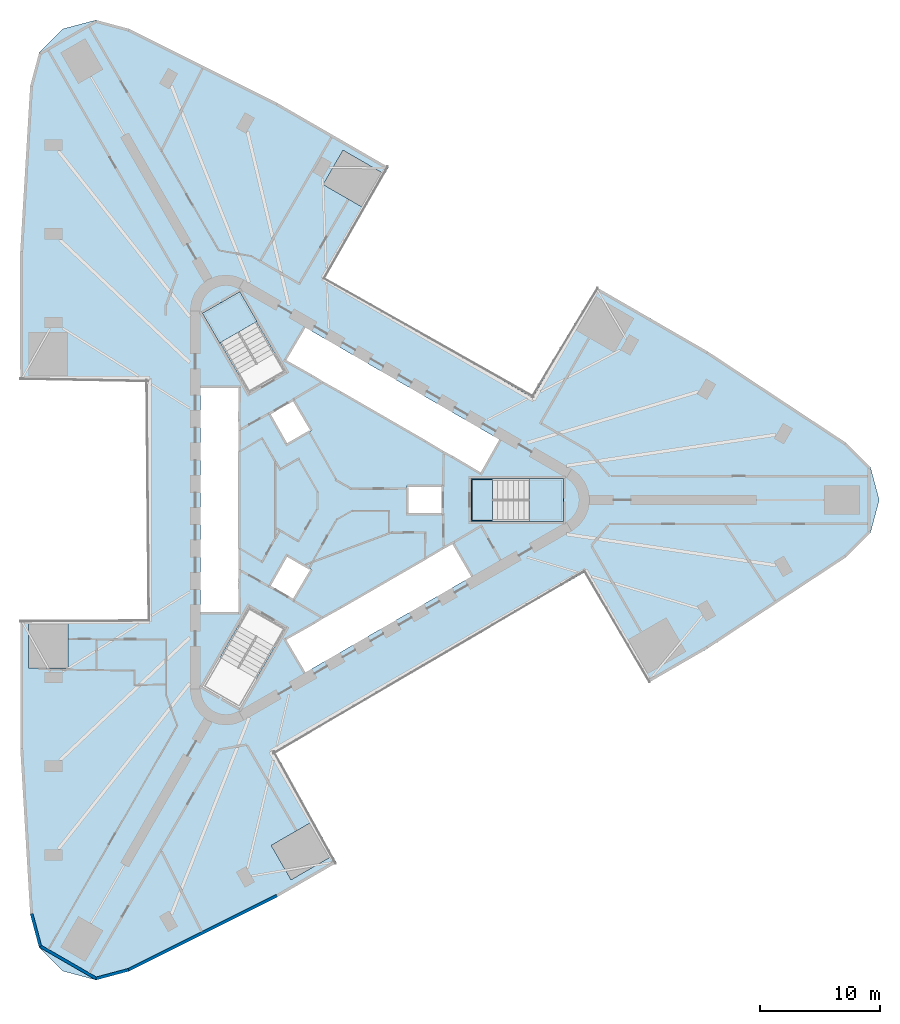
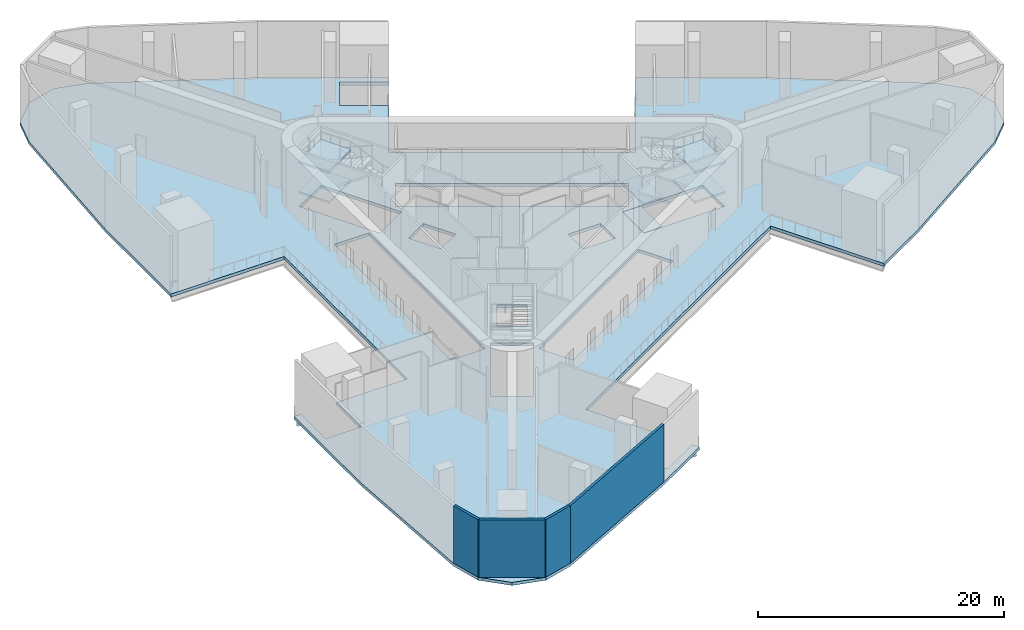
# One storey, part 2 of 11: 7 slabs, 4 walls, 2 elements without a shape of their own.
"""IFC4 building model written with IfcOpenShell, lengths in metres."""

from ifc_helpers import new_model, si_unit, direction, frame, frame_2d, origin, place, context, subcontext, project, spatial, polyline, rectangle, outline, extrude, material, layer, layer_set, type_object, element, aggregate, save


model = new_model("IFC4")

# Units and contexts
model_context = context("Model", 3, precision=1e-05, world=origin(), true_north=direction((0.0, 1.0)))
body_context = subcontext(model_context, "Body", "Model", "MODEL_VIEW")
ifc_project = project(units=[si_unit("LENGTHUNIT", "METRE"), si_unit("AREAUNIT", "SQUARE_METRE"), si_unit("VOLUMEUNIT", "CUBIC_METRE"), si_unit("PLANEANGLEUNIT", "RADIAN"), si_unit("MASSUNIT", "GRAM", prefix="KILO")], contexts=[model_context])

# Site, building, storey
site_placement = place(None, origin())
site = spatial("IfcSite", under=ifc_project, at=site_placement, CompositionType="ELEMENT")
building_placement = place(site_placement, origin())
building = spatial("IfcBuilding", under=site, at=building_placement, Name="Tanit Gate Tower", CompositionType="ELEMENT")
storey_placement = place(building_placement, frame((0.0, 0.0, 15.5)))
storey = spatial("IfcBuildingStorey", under=building, at=storey_placement, Name="L02", CompositionType="ELEMENT", Elevation=15.5)

# Stair, slabs
ifc_material_1 = material(Name="Concrete C40/50", Category="concrete")
stair_type = type_object("IfcStairType", Name="INT-STAIR-EXIT", PredefinedType="HALF_TURN_STAIR", material=ifc_material_1)
stair_1_placement = place(storey_placement, origin())
stair_1 = element("IfcStair", 1, at=stair_1_placement, inside=storey, type_object=stair_type, Name="L02 STAIR S1", PredefinedType="HALF_TURN_STAIR")
ifc_material_2 = material(Name="Concrete C40/50", Category="concrete")
ifc_layer_1 = layer(ifc_material_2, 0.199951171875)
ifc_layer_set_1 = layer_set([ifc_layer_1], Name="INT-STAIR-LANDING")
slab_type_1 = type_object("IfcSlabType", Name="INT-STAIR-LANDING", PredefinedType="LANDING", material=ifc_layer_set_1)
slab_1_placement = place(storey_placement, frame((0.0, 0.0, 1.300048828125)))
slab_1 = element("IfcSlab", 2, at=slab_1_placement, type_object=slab_type_1, Name="S1 landing 1", PredefinedType="LANDING", context=body_context, shape_type="SweptSolid", body=[
    extrude(outline(polyline([(16.135986328125, -1.800048828125), (19.0, -1.800048828125), (19.0, 1.800048828125), (16.135986328125, 1.800048828125), (16.135986328125, -1.800048828125)])), origin(), (0.0, 0.0, 1.0), 0.199951171875),
])
slab_2_placement = place(storey_placement, frame((0.0, 0.0, 2.800048828125)))
slab_2 = element("IfcSlab", 3, at=slab_2_placement, type_object=slab_type_1, Name="S1 landing 2", PredefinedType="LANDING", context=body_context, shape_type="SweptSolid", body=[
    extrude(outline(polyline([(11.300048828125, -1.800048828125), (13.10498046875, -1.800048828125), (13.10498046875, 1.800048828125), (11.300048828125, 1.800048828125), (11.300048828125, -1.800048828125)])), origin(), (0.0, 0.0, 1.0), 0.199951171875),
])
slab_3_placement = place(storey_placement, frame((0.0, 0.0, 4.300048828125)))
slab_3 = element("IfcSlab", 4, at=slab_3_placement, type_object=slab_type_1, Name="S1 landing 3", PredefinedType="LANDING", context=body_context, shape_type="SweptSolid", body=[
    extrude(outline(polyline([(16.135986328125, -1.800048828125), (19.0, -1.800048828125), (19.0, 1.800048828125), (16.135986328125, 1.800048828125), (16.135986328125, -1.800048828125)])), origin(), (0.0, 0.0, 1.0), 0.199951171875),
])
aggregate(stair_1, [slab_1, slab_2, slab_3])

# Slab
slab_4_placement = place(storey_placement, frame((0.0, 0.0, -0.199951171875)))
element("IfcSlab", 5, at=slab_4_placement, inside=storey, type_object=slab_type_1, Name="S1 floor landing", PredefinedType="LANDING", context=body_context, shape_type="SweptSolid", body=[
    extrude(outline(polyline([(11.3798828125, -1.719970703125), (13.10498046875, -1.719970703125), (13.10498046875, 1.719970703125), (11.3798828125, 1.719970703125), (11.3798828125, -1.719970703125)])), origin(), (0.0, 0.0, 1.0), 0.199951171875),
])

# Stair, slabs
stair_2_placement = place(storey_placement, origin())
stair_2 = element("IfcStair", 6, at=stair_2_placement, inside=storey, type_object=stair_type, Name="L02 STAIR S2", PredefinedType="HALF_TURN_STAIR")
slab_5_placement = place(storey_placement, frame((0.0, 0.0, 1.300048828125)))
slab_5 = element("IfcSlab", 7, at=slab_5_placement, type_object=slab_type_1, Name="S2 landing 1", PredefinedType="LANDING", context=body_context, shape_type="SweptSolid", body=[
    extrude(outline(polyline([(-6.5078125, 14.871826171875), (-7.941162109375, 17.3544921875), (-11.058837890625, 15.554443359375), (-9.62548828125, 13.07177734375), (-6.5078125, 14.871826171875)])), origin(), (0.0, 0.0, 1.0), 0.199951171875),
])
slab_6_placement = place(storey_placement, frame((0.0, 0.0, 4.300048828125)))
slab_6 = element("IfcSlab", 8, at=slab_6_placement, type_object=slab_type_1, Name="S2 landing 3", PredefinedType="LANDING", context=body_context, shape_type="SweptSolid", body=[
    extrude(outline(polyline([(-6.5078125, 14.871826171875), (-7.941162109375, 17.3544921875), (-11.058837890625, 15.554443359375), (-9.62548828125, 13.07177734375), (-6.5078125, 14.871826171875)])), origin(), (0.0, 0.0, 1.0), 0.199951171875),
])
aggregate(stair_2, [slab_5, slab_6])

# Slab
ifc_material_3 = material(Name="Concrete C35/45", Category="concrete")
ifc_layer_2 = layer(ifc_material_3, 0.300048828125)
ifc_layer_set_2 = layer_set([ifc_layer_2], Name="PODIUM FLOOR SLAB 300 C35/45")
slab_type_2 = type_object("IfcSlabType", Name="PODIUM FLOOR SLAB 300 C35/45", PredefinedType="FLOOR", material=ifc_layer_set_2)
slab_7_placement = place(storey_placement, frame((0.0, 0.0, -0.300048828125)))
element("IfcSlab", 9, at=slab_7_placement, inside=storey, type_object=slab_type_2, Name="FLOOR SLAB L02", PredefinedType="FLOOR", context=body_context, shape_type="SweptSolid", body=[
    extrude(outline(polyline([(42.5634765625, 4.75927734375), (44.574951171875, 2.747802734375), (45.311279296875, 0.0), (44.574951171875, -2.747802734375), (42.5634765625, -4.75927734375), (31.030517578125, -12.368896484375), (26.10400390625, -15.213623046875), (20.790283203125, -6.010009765625), (-5.1904296875, -21.010009765625), (-1.86376953125, -26.77197265625), (-5.327880859375, -28.77197265625), (-3.677734375, -31.6298828125), (-0.213623046875, -29.6298828125), (0.124267578125, -30.21533203125), (-4.80224609375, -33.06005859375), (-17.16015625, -39.24072265625), (-19.907958984375, -39.97705078125), (-22.655517578125, -39.24072265625), (-24.6669921875, -37.229248046875), (-25.4033203125, -34.4814453125), (-26.22705078125, -20.68896484375), (-26.227783203125, -10.0), (-25.553466796875, -10.0), (-25.553466796875, -14.0), (-22.25341796875, -14.0), (-22.25341796875, -10.0), (-15.60009765625, -10.0), (-15.60009765625, 10.0), (-26.22900390625, 10.0), (-26.229736328125, 20.68896484375), (-25.4033203125, 34.4814453125), (-24.6669921875, 37.229248046875), (-22.655517578125, 39.24072265625), (-19.907958984375, 39.97705078125), (-17.16015625, 39.24072265625), (-4.8037109375, 33.0576171875), (4.45361328125, 27.7138671875), (4.116455078125, 27.1298828125), (0.65234375, 29.1298828125), (-0.99755859375, 26.27197265625), (2.466552734375, 24.27197265625), (-0.8603515625, 18.510009765625), (16.460205078125, 8.510009765625), (21.77490234375, 17.715087890625), (31.031982421875, 12.371337890625), (42.5634765625, 4.75927734375)]), holes=[polyline([(18.929931640625, 1.72998046875), (18.929931640625, -1.72998046875), (11.3701171875, -1.72998046875), (11.3701171875, 1.72998046875), (18.929931640625, 1.72998046875)]), polyline([(-4.208984375, 11.60986328125), (-2.583984375, 14.424560546875), (13.783935546875, 4.974609375), (12.158935546875, 2.159912109375), (-4.208984375, 11.60986328125)]), polyline([(-4.208984375, -11.60986328125), (9.82080078125, -3.510009765625), (11.44580078125, -6.324462890625), (-2.583984375, -14.424560546875), (-4.208984375, -11.60986328125)]), polyline([(9.0, 1.199951171875), (9.0, -1.199951171875), (6.0, -1.199951171875), (6.0, 1.199951171875), (9.0, 1.199951171875)]), polyline([(-5.539306640625, 7.194091796875), (-3.460693359375, 8.394287109375), (-1.960693359375, 5.796142578125), (-4.039306640625, 4.59619140625), (-5.539306640625, 7.194091796875)]), polyline([(-3.460693359375, -8.394287109375), (-5.539306640625, -7.194091796875), (-4.039306640625, -4.59619140625), (-1.960693359375, -5.796142578125), (-3.460693359375, -8.394287109375)]), polyline([(-7.18310546875, 8.981689453125), (-10.963134765625, 15.52880859375), (-7.966796875, 17.2587890625), (-4.186767578125, 10.711669921875), (-7.18310546875, 8.981689453125)]), polyline([(-4.186767578125, -10.711669921875), (-7.966796875, -17.2587890625), (-10.963134765625, -15.52880859375), (-7.18310546875, -8.981689453125), (-4.186767578125, -10.711669921875)]), polyline([(-11.199951171875, -9.449951171875), (-11.199951171875, 9.449951171875), (-7.949951171875, 9.449951171875), (-7.949951171875, -9.449951171875), (-11.199951171875, -9.449951171875)])]), origin(), (0.0, 0.0, 1.0), 0.300048828125),
])

# Walls
ifc_material_4 = material(Name="Concrete C30/37 with bronze anodised aluminium cladding", Category="concrete")
ifc_layer_3 = layer(ifc_material_4, 0.239990234375)
ifc_layer_set_3 = layer_set([ifc_layer_3], Name="Facade wall bronze clad 240")
wall_type = type_object("IfcWallType", Name="Facade wall bronze clad 240", PredefinedType="SOLIDWALL", material=ifc_layer_set_3)
wall_1_placement = place(storey_placement, frame((-25.284423828125, -34.462158203125, 0.0), z_axis=(0.0, 0.0, 1.0), x_axis=(0.258850842196, -0.965917305723, 0.0)))
element("IfcWall", 10, at=wall_1_placement, inside=storey, type_object=wall_type, Name="Bronze-clad facade wall L02 SW.arc1", PredefinedType="SOLIDWALL", context=body_context, shape_type="SweptSolid", body=[
    extrude(rectangle(XDim=2.80029296875, YDim=0.239990234375, at=frame_2d((1.400146484375, 0.0))), origin(), (0.0, 0.0, 1.0), 5.699951171875),
])
wall_2_placement = place(storey_placement, frame((-24.5595703125, -37.1669921875, 0.0), z_axis=(0.0, 0.0, 1.0), x_axis=(0.866010734295, -0.500025407441, 0.0)))
element("IfcWall", 11, at=wall_2_placement, inside=storey, type_object=wall_type, Name="Bronze-clad facade wall L02 SW.arc2", PredefinedType="SOLIDWALL", context=body_context, shape_type="SweptSolid", body=[
    extrude(rectangle(XDim=5.371337890625, YDim=0.239990234375, at=frame_2d((2.685546875, 0.0))), origin(), (0.0, 0.0, 1.0), 5.699951171875),
])
wall_3_placement = place(storey_placement, frame((-19.907958984375, -39.852783203125, 0.0), z_axis=(0.0, 0.0, 1.0), x_axis=(0.965923146675, 0.25882904535, 0.0)))
element("IfcWall", 12, at=wall_3_placement, inside=storey, type_object=wall_type, Name="Bronze-clad facade wall L02 SW.arc3", PredefinedType="SOLIDWALL", context=body_context, shape_type="SweptSolid", body=[
    extrude(rectangle(XDim=2.800537109375, YDim=0.239990234375, at=frame_2d((1.400390625, 0.0))), origin(), (0.0, 0.0, 1.0), 5.699951171875),
])
wall_4_placement = place(storey_placement, frame((-17.202880859375, -39.1279296875, 0.0), z_axis=(0.0, 0.0, 1.0), x_axis=(0.894377655106, 0.447312653573, 0.0)))
element("IfcWall", 13, at=wall_4_placement, inside=storey, type_object=wall_type, Name="Bronze-clad facade wall L02 SE1", PredefinedType="SOLIDWALL", context=body_context, shape_type="SweptSolid", body=[
    extrude(rectangle(XDim=13.801513671875, YDim=0.239990234375, at=frame_2d((6.90087890625, 0.0))), origin(), (0.0, 0.0, 1.0), 5.699951171875),
])

save(model, "model.ifc")
